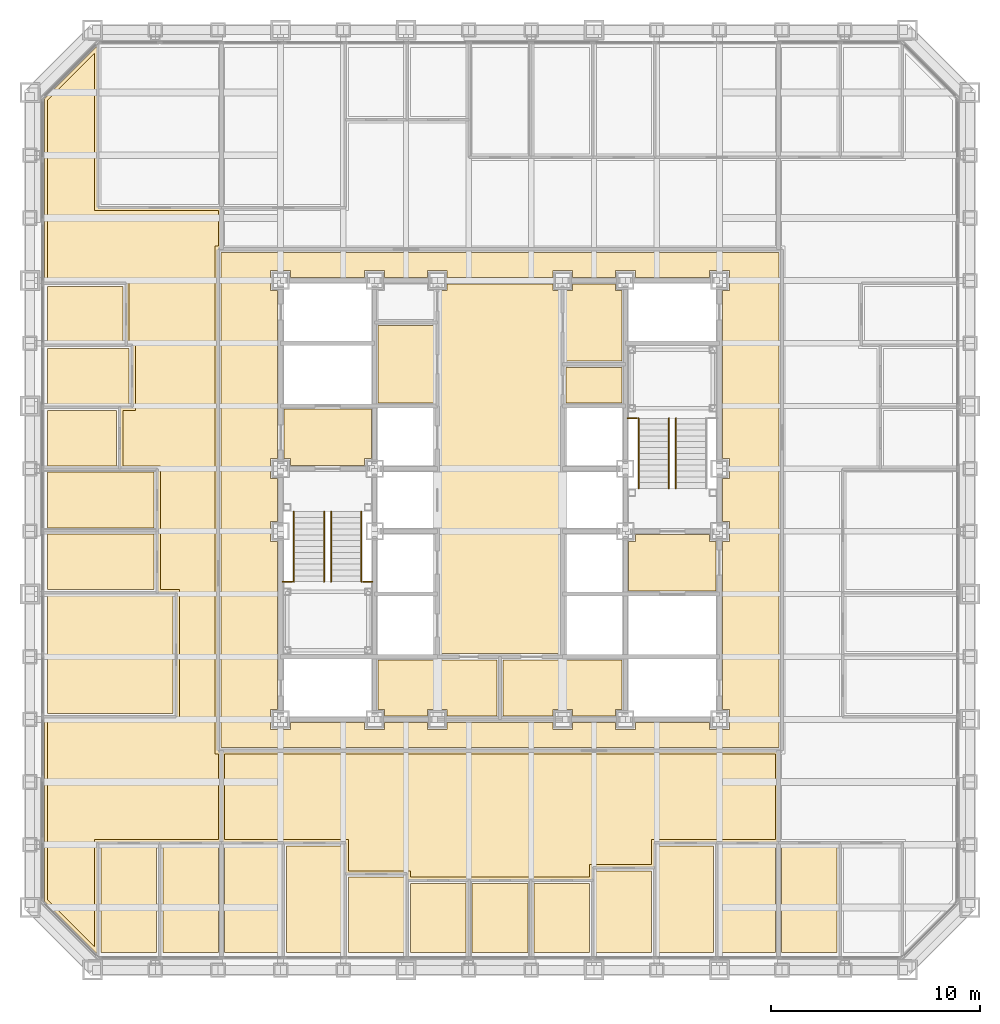
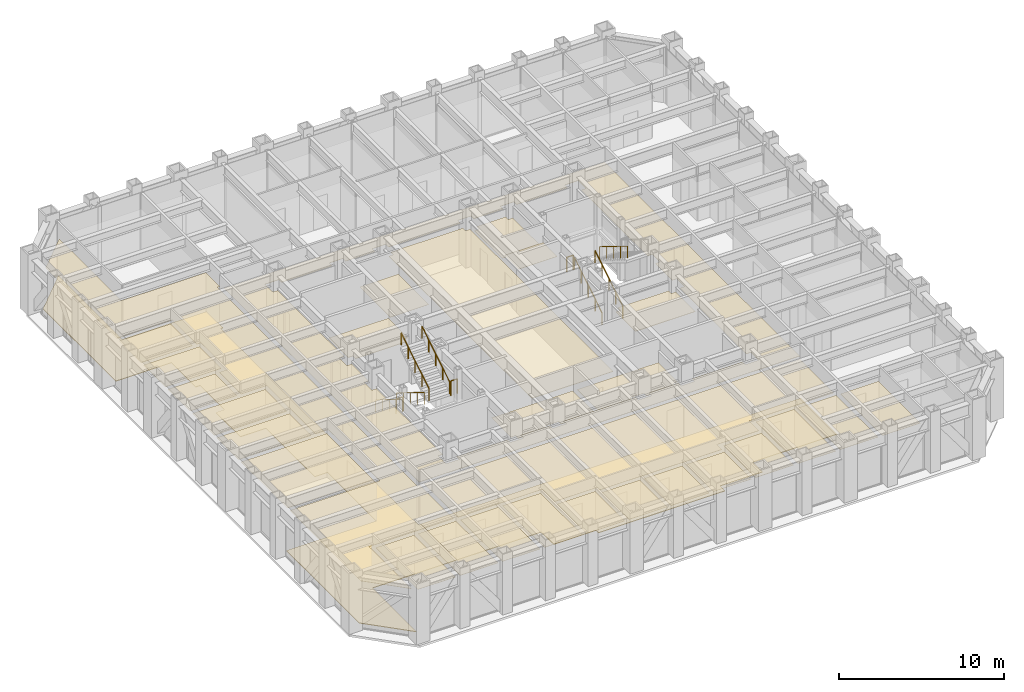
# One storey, part 14 of 16: 31 coverings, 10 railings.
"""IFC4 building model written with IfcOpenShell, lengths in metres."""

from ifc_helpers import new_model, si_unit, direction, frame, origin, origin_2d, place, context, subcontext, project, spatial, polyline, circle, outline, extrude, material, layer, layer_set, type_object, element, save


model = new_model("IFC4")

# Units and contexts
model_context = context("Model", 3, precision=1e-05, world=origin(), true_north=direction((0.0, 1.0)))
body_context = subcontext(model_context, "Body", "Model", "MODEL_VIEW")
ifc_project = project(units=[si_unit("LENGTHUNIT", "METRE"), si_unit("AREAUNIT", "SQUARE_METRE"), si_unit("VOLUMEUNIT", "CUBIC_METRE"), si_unit("PLANEANGLEUNIT", "RADIAN"), si_unit("MASSUNIT", "GRAM", prefix="KILO")], contexts=[model_context])

# Site, building, storey
site_placement = place(None, origin())
site = spatial("IfcSite", under=ifc_project, at=site_placement, CompositionType="ELEMENT")
building_placement = place(site_placement, origin())
building = spatial("IfcBuilding", under=site, at=building_placement, Name="Chuquiago Exchange Tower", CompositionType="ELEMENT")
storey_placement = place(building_placement, frame((0.0, 0.0, 82.800048828125)))
storey = spatial("IfcBuildingStorey", under=building, at=storey_placement, Name="L17", CompositionType="ELEMENT", Elevation=82.800048828125)

# Coverings
ifc_material_1 = material(Name="Mineral fibre tile, 600 x 600, on pale metal grid", Category="mineral fibre")
ifc_layer_1 = layer(ifc_material_1, 0.02001953125)
ifc_layer_set_1 = layer_set([ifc_layer_1], Name="CL1 suspended tile ceiling 20")
covering_type_1 = type_object("IfcCoveringType", Name="CL1 suspended tile ceiling 20", PredefinedType="CEILING", material=ifc_layer_set_1)
covering_1_placement = place(storey_placement, frame((0.0, 0.0, 3.0)))
element("IfcCovering", 1, at=covering_1_placement, inside=storey, type_object=covering_type_1, Name="Ceiling Office", PredefinedType="CEILING", context=body_context, shape_type="SweptSolid", body=[
    extrude(outline(polyline([(3.3984375, 5.949951171875), (6.060302734375, 5.949951171875), (6.060302734375, 0.85009765625), (3.3984375, 0.85009765625), (3.3984375, 5.949951171875)])), origin(), (0.0, 0.0, 1.0), 0.02001953125),
])
covering_2_placement = place(storey_placement, frame((0.0, 0.0, 3.0)))
element("IfcCovering", 2, at=covering_2_placement, inside=storey, type_object=covering_type_1, Name="Ceiling Office", PredefinedType="CEILING", context=body_context, shape_type="SweptSolid", body=[
    extrude(outline(polyline([(6.3603515625, 5.949951171875), (9.022216796875, 5.949951171875), (9.022216796875, 0.85009765625), (6.3603515625, 0.85009765625), (6.3603515625, 5.949951171875)])), origin(), (0.0, 0.0, 1.0), 0.02001953125),
])
covering_3_placement = place(storey_placement, frame((0.0, 0.0, 3.0)))
element("IfcCovering", 3, at=covering_3_placement, inside=storey, type_object=covering_type_1, Name="Ceiling Office", PredefinedType="CEILING", context=body_context, shape_type="SweptSolid", body=[
    extrude(outline(polyline([(9.322021484375, 5.949951171875), (11.98388671875, 5.949951171875), (11.98388671875, 0.85009765625), (9.322021484375, 0.85009765625), (9.322021484375, 5.949951171875)])), origin(), (0.0, 0.0, 1.0), 0.02001953125),
])
covering_4_placement = place(storey_placement, frame((0.0, 0.0, 3.0)))
element("IfcCovering", 4, at=covering_4_placement, inside=storey, type_object=covering_type_1, Name="Ceiling Office", PredefinedType="CEILING", context=body_context, shape_type="SweptSolid", body=[
    extrude(outline(polyline([(12.28369140625, 5.949951171875), (14.945556640625, 5.949951171875), (14.945556640625, 0.85009765625), (12.28369140625, 0.85009765625), (12.28369140625, 5.949951171875)])), origin(), (0.0, 0.0, 1.0), 0.02001953125),
])
covering_5_placement = place(storey_placement, frame((0.0, 0.0, 3.0)))
element("IfcCovering", 5, at=covering_5_placement, inside=storey, type_object=covering_type_1, Name="Ceiling Store", PredefinedType="CEILING", context=body_context, shape_type="SweptSolid", body=[
    extrude(outline(polyline([(15.24560546875, 4.449951171875), (17.907470703125, 4.449951171875), (17.907470703125, 0.85009765625), (15.24560546875, 0.85009765625), (15.24560546875, 4.449951171875)])), origin(), (0.0, 0.0, 1.0), 0.02001953125),
])
covering_6_placement = place(storey_placement, frame((0.0, 0.0, 3.0)))
element("IfcCovering", 6, at=covering_6_placement, inside=storey, type_object=covering_type_1, Name="Ceiling Focus room", PredefinedType="CEILING", context=body_context, shape_type="SweptSolid", body=[
    extrude(outline(polyline([(18.20751953125, 4.14990234375), (20.869140625, 4.14990234375), (20.869140625, 0.85009765625), (18.20751953125, 0.85009765625), (18.20751953125, 4.14990234375)])), origin(), (0.0, 0.0, 1.0), 0.02001953125),
])
covering_7_placement = place(storey_placement, frame((0.0, 0.0, 3.0)))
element("IfcCovering", 7, at=covering_7_placement, inside=storey, type_object=covering_type_1, Name="Ceiling Focus room", PredefinedType="CEILING", context=body_context, shape_type="SweptSolid", body=[
    extrude(outline(polyline([(21.169189453125, 4.14990234375), (23.830810546875, 4.14990234375), (23.830810546875, 0.85009765625), (21.169189453125, 0.85009765625), (21.169189453125, 4.14990234375)])), origin(), (0.0, 0.0, 1.0), 0.02001953125),
])
covering_8_placement = place(storey_placement, frame((0.0, 0.0, 3.0)))
element("IfcCovering", 8, at=covering_8_placement, inside=storey, type_object=covering_type_1, Name="Ceiling Focus room", PredefinedType="CEILING", context=body_context, shape_type="SweptSolid", body=[
    extrude(outline(polyline([(24.130859375, 4.14990234375), (26.79248046875, 4.14990234375), (26.79248046875, 0.85009765625), (24.130859375, 0.85009765625), (24.130859375, 4.14990234375)])), origin(), (0.0, 0.0, 1.0), 0.02001953125),
])
covering_9_placement = place(storey_placement, frame((0.0, 0.0, 3.0)))
element("IfcCovering", 9, at=covering_9_placement, inside=storey, type_object=covering_type_1, Name="Ceiling Pantry", PredefinedType="CEILING", context=body_context, shape_type="SweptSolid", body=[
    extrude(outline(polyline([(27.092529296875, 4.75), (29.75439453125, 4.75), (29.75439453125, 0.85009765625), (27.092529296875, 0.85009765625), (27.092529296875, 4.75)])), origin(), (0.0, 0.0, 1.0), 0.02001953125),
])
covering_10_placement = place(storey_placement, frame((0.0, 0.0, 3.0)))
element("IfcCovering", 10, at=covering_10_placement, inside=storey, type_object=covering_type_1, Name="Ceiling Meeting room", PredefinedType="CEILING", context=body_context, shape_type="SweptSolid", body=[
    extrude(outline(polyline([(30.054443359375, 5.949951171875), (32.71630859375, 5.949951171875), (32.71630859375, 0.85009765625), (30.054443359375, 0.85009765625), (30.054443359375, 5.949951171875)])), origin(), (0.0, 0.0, 1.0), 0.02001953125),
])
covering_11_placement = place(storey_placement, frame((0.0, 0.0, 3.0)))
element("IfcCovering", 11, at=covering_11_placement, inside=storey, type_object=covering_type_1, Name="Ceiling Meeting room", PredefinedType="CEILING", context=body_context, shape_type="SweptSolid", body=[
    extrude(outline(polyline([(33.01611328125, 5.949951171875), (35.677978515625, 5.949951171875), (35.677978515625, 0.85009765625), (33.01611328125, 0.85009765625), (33.01611328125, 5.949951171875)])), origin(), (0.0, 0.0, 1.0), 0.02001953125),
])
covering_12_placement = place(storey_placement, frame((0.0, 0.0, 3.0)))
element("IfcCovering", 12, at=covering_12_placement, inside=storey, type_object=covering_type_1, Name="Ceiling Office", PredefinedType="CEILING", context=body_context, shape_type="SweptSolid", body=[
    extrude(outline(polyline([(35.977783203125, 5.949951171875), (38.6396484375, 5.949951171875), (38.6396484375, 0.85009765625), (35.977783203125, 0.85009765625), (35.977783203125, 5.949951171875)])), origin(), (0.0, 0.0, 1.0), 0.02001953125),
])
covering_13_placement = place(storey_placement, frame((0.0, 0.0, 3.0)))
element("IfcCovering", 13, at=covering_13_placement, inside=storey, type_object=covering_type_1, Name="Ceiling Conference room", PredefinedType="CEILING", context=body_context, shape_type="SweptSolid", body=[
    extrude(outline(polyline([(6.85009765625, 17.907470703125), (6.85009765625, 12.28369140625), (0.85009765625, 12.28369140625), (0.85009765625, 17.907470703125), (6.85009765625, 17.907470703125)])), origin(), (0.0, 0.0, 1.0), 0.02001953125),
])
covering_14_placement = place(storey_placement, frame((0.0, 0.0, 3.0)))
element("IfcCovering", 14, at=covering_14_placement, inside=storey, type_object=covering_type_1, Name="Ceiling Office", PredefinedType="CEILING", context=body_context, shape_type="SweptSolid", body=[
    extrude(outline(polyline([(5.949951171875, 20.869140625), (5.949951171875, 18.20751953125), (0.85009765625, 18.20751953125), (0.85009765625, 20.869140625), (5.949951171875, 20.869140625)])), origin(), (0.0, 0.0, 1.0), 0.02001953125),
])
covering_15_placement = place(storey_placement, frame((0.0, 0.0, 3.0)))
element("IfcCovering", 15, at=covering_15_placement, inside=storey, type_object=covering_type_1, Name="Ceiling Office", PredefinedType="CEILING", context=body_context, shape_type="SweptSolid", body=[
    extrude(outline(polyline([(5.949951171875, 23.830810546875), (5.949951171875, 21.169189453125), (0.85009765625, 21.169189453125), (0.85009765625, 23.830810546875), (5.949951171875, 23.830810546875)])), origin(), (0.0, 0.0, 1.0), 0.02001953125),
])
covering_16_placement = place(storey_placement, frame((0.0, 0.0, 3.0)))
element("IfcCovering", 16, at=covering_16_placement, inside=storey, type_object=covering_type_1, Name="Ceiling Focus room", PredefinedType="CEILING", context=body_context, shape_type="SweptSolid", body=[
    extrude(outline(polyline([(4.14990234375, 26.79248046875), (4.14990234375, 24.130859375), (0.85009765625, 24.130859375), (0.85009765625, 26.79248046875), (4.14990234375, 26.79248046875)])), origin(), (0.0, 0.0, 1.0), 0.02001953125),
])
covering_17_placement = place(storey_placement, frame((0.0, 0.0, 3.0)))
element("IfcCovering", 17, at=covering_17_placement, inside=storey, type_object=covering_type_1, Name="Ceiling Pantry", PredefinedType="CEILING", context=body_context, shape_type="SweptSolid", body=[
    extrude(outline(polyline([(4.75, 29.75439453125), (4.75, 27.092529296875), (0.85009765625, 27.092529296875), (0.85009765625, 29.75439453125), (4.75, 29.75439453125)])), origin(), (0.0, 0.0, 1.0), 0.02001953125),
])
covering_18_placement = place(storey_placement, frame((0.0, 0.0, 3.0)))
element("IfcCovering", 18, at=covering_18_placement, inside=storey, type_object=covering_type_1, Name="Ceiling Store", PredefinedType="CEILING", context=body_context, shape_type="SweptSolid", body=[
    extrude(outline(polyline([(4.449951171875, 32.71630859375), (4.449951171875, 30.054443359375), (0.85009765625, 30.054443359375), (0.85009765625, 32.71630859375), (4.449951171875, 32.71630859375)])), origin(), (0.0, 0.0, 1.0), 0.02001953125),
])
covering_19_placement = place(storey_placement, frame((0.0, 0.0, 3.0)))
element("IfcCovering", 19, at=covering_19_placement, inside=storey, type_object=covering_type_1, Name="Ceiling Trading floor south suite", PredefinedType="CEILING", context=body_context, shape_type="SweptSolid", body=[
    extrude(outline(polyline([(29.75439453125, 6.25), (29.75439453125, 5.050048828125), (26.79248046875, 5.050048828125), (26.79248046875, 4.449951171875), (18.20751953125, 4.449951171875), (18.20751953125, 4.75), (15.24560546875, 4.75), (15.24560546875, 6.25), (9.322509765625, 6.25), (9.322509765625, 10.349609375), (35.677490234375, 10.349609375), (35.677490234375, 6.25), (29.75439453125, 6.25)])), origin(), (0.0, 0.0, 1.0), 0.02001953125),
])
covering_20_placement = place(storey_placement, frame((0.0, 0.0, 3.0)))
element("IfcCovering", 20, at=covering_20_placement, inside=storey, type_object=covering_type_1, Name="Ceiling Trading floor west suite", PredefinedType="CEILING", context=body_context, shape_type="SweptSolid", body=[
    extrude(outline(polyline([(3.098388671875, 36.35009765625), (9.021484375, 36.35009765625), (9.021484375, 34.650146484375), (8.849609375, 34.649658203125), (8.849609375, 10.350341796875), (9.021484375, 10.349853515625), (9.021484375, 6.25), (3.098388671875, 6.25), (3.098388671875, 1.103515625), (0.85009765625, 3.35205078125), (0.85009765625, 11.98388671875), (7.14990234375, 11.98388671875), (7.14990234375, 18.20751953125), (6.25, 18.20751953125), (6.25, 24.130859375), (4.449951171875, 24.130859375), (4.449951171875, 26.79248046875), (5.050048828125, 26.79248046875), (5.050048828125, 30.054443359375), (4.75, 30.054443359375), (4.75, 33.01611328125), (0.85009765625, 33.01611328125), (0.85009765625, 41.64794921875), (3.098388671875, 43.896484375), (3.098388671875, 36.35009765625)])), origin(), (0.0, 0.0, 1.0), 0.02001953125),
])
covering_21_placement = place(storey_placement, frame((0.0, 0.0, 3.0)))
element("IfcCovering", 21, at=covering_21_placement, inside=storey, type_object=covering_type_1, Name="Ceiling Tenant corridor", PredefinedType="CEILING", context=body_context, shape_type="SweptSolid", body=[
    extrude(outline(polyline([(9.14990234375, 34.35009765625), (35.85009765625, 34.35009765625), (35.85009765625, 10.64990234375), (9.14990234375, 10.64990234375), (9.14990234375, 34.35009765625)]), holes=[polyline([(11.85009765625, 24.47509765625), (11.52490234375, 24.47509765625), (11.52490234375, 23.52490234375), (11.85009765625, 23.52490234375), (11.85009765625, 21.47509765625), (11.52490234375, 21.47509765625), (11.52490234375, 20.52490234375), (11.85009765625, 20.52490234375), (11.85009765625, 12.47509765625), (11.52490234375, 12.47509765625), (11.52490234375, 11.52490234375), (12.47509765625, 11.52490234375), (12.47509765625, 11.85009765625), (16.02490234375, 11.85009765625), (16.02490234375, 11.52490234375), (16.97509765625, 11.52490234375), (16.97509765625, 11.85009765625), (19.02490234375, 11.85009765625), (19.02490234375, 11.52490234375), (19.97509765625, 11.52490234375), (19.97509765625, 11.85009765625), (25.02490234375, 11.85009765625), (25.02490234375, 11.52490234375), (25.97509765625, 11.52490234375), (25.97509765625, 11.85009765625), (28.02490234375, 11.85009765625), (28.02490234375, 11.52490234375), (28.97509765625, 11.52490234375), (28.97509765625, 11.85009765625), (32.52490234375, 11.85009765625), (32.52490234375, 11.52490234375), (33.47509765625, 11.52490234375), (33.47509765625, 12.47509765625), (33.14990234375, 12.47509765625), (33.14990234375, 20.52490234375), (33.47509765625, 20.52490234375), (33.47509765625, 21.47509765625), (33.14990234375, 21.47509765625), (33.14990234375, 23.52490234375), (33.47509765625, 23.52490234375), (33.47509765625, 24.47509765625), (33.14990234375, 24.47509765625), (33.14990234375, 32.52490234375), (33.47509765625, 32.52490234375), (33.47509765625, 33.47509765625), (32.52490234375, 33.47509765625), (32.52490234375, 33.14990234375), (28.97509765625, 33.14990234375), (28.97509765625, 33.47509765625), (28.02490234375, 33.47509765625), (28.02490234375, 33.14990234375), (25.97509765625, 33.14990234375), (25.97509765625, 33.47509765625), (25.02490234375, 33.47509765625), (25.02490234375, 33.14990234375), (19.97509765625, 33.14990234375), (19.97509765625, 33.47509765625), (19.02490234375, 33.47509765625), (19.02490234375, 33.14990234375), (16.97509765625, 33.14990234375), (16.97509765625, 33.47509765625), (16.02490234375, 33.47509765625), (16.02490234375, 33.14990234375), (12.47509765625, 33.14990234375), (12.47509765625, 33.47509765625), (11.52490234375, 33.47509765625), (11.52490234375, 32.52490234375), (11.85009765625, 32.52490234375), (11.85009765625, 24.47509765625)])]), origin(), (0.0, 0.0, 1.0), 0.02001953125),
])
covering_22_placement = place(storey_placement, frame((0.0, 0.0, 3.0)))
element("IfcCovering", 22, at=covering_22_placement, inside=storey, type_object=covering_type_1, Name="Ceiling First aid room", PredefinedType="CEILING", context=body_context, shape_type="SweptSolid", body=[
    extrude(outline(polyline([(25.64990234375, 27.14990234375), (25.64990234375, 28.85009765625), (28.35009765625, 28.85009765625), (28.35009765625, 27.14990234375), (25.64990234375, 27.14990234375)])), origin(), (0.0, 0.0, 1.0), 0.02001953125),
])
ifc_material_2 = material(Name="Moisture resistant plasterboard on metal frame", Category="gypsum")
ifc_layer_2 = layer(ifc_material_2, 0.014892578125)
ifc_layer_set_2 = layer_set([ifc_layer_2], Name="CL2 moisture resistant ceiling 15")
covering_type_2 = type_object("IfcCoveringType", Name="CL2 moisture resistant ceiling 15", PredefinedType="CEILING", material=ifc_layer_set_2)
covering_23_placement = place(storey_placement, frame((0.0, 0.0, 2.599853515625)))
element("IfcCovering", 23, at=covering_23_placement, inside=storey, type_object=covering_type_2, Name="Ceiling Male WC", PredefinedType="CEILING", context=body_context, shape_type="SweptSolid", body=[
    extrude(outline(polyline([(16.64990234375, 27.14990234375), (16.64990234375, 30.85009765625), (19.35009765625, 30.85009765625), (19.35009765625, 27.14990234375), (16.64990234375, 27.14990234375)])), origin(), (0.0, 0.0, 1.0), 0.01513671875),
])
covering_24_placement = place(storey_placement, frame((0.0, 0.0, 2.599853515625)))
element("IfcCovering", 24, at=covering_24_placement, inside=storey, type_object=covering_type_2, Name="Ceiling Female WC", PredefinedType="CEILING", context=body_context, shape_type="SweptSolid", body=[
    extrude(outline(polyline([(25.64990234375, 29.14990234375), (25.64990234375, 32.52490234375), (25.97509765625, 32.52490234375), (25.97509765625, 32.85009765625), (28.02490234375, 32.85009765625), (28.02490234375, 32.52490234375), (28.35009765625, 32.52490234375), (28.35009765625, 29.14990234375), (25.64990234375, 29.14990234375)])), origin(), (0.0, 0.0, 1.0), 0.01513671875),
])
covering_25_placement = place(storey_placement, frame((0.0, 0.0, 2.599853515625)))
element("IfcCovering", 25, at=covering_25_placement, inside=storey, type_object=covering_type_2, Name="Ceiling Accessible WC", PredefinedType="CEILING", context=body_context, shape_type="SweptSolid", body=[
    extrude(outline(polyline([(25.97509765625, 12.14990234375), (25.97509765625, 12.47509765625), (25.02490234375, 12.47509765625), (25.02490234375, 12.14990234375), (22.64990234375, 12.14990234375), (22.64990234375, 14.85009765625), (28.35009765625, 14.85009765625), (28.35009765625, 12.47509765625), (28.02490234375, 12.47509765625), (28.02490234375, 12.14990234375), (25.97509765625, 12.14990234375)])), origin(), (0.0, 0.0, 1.0), 0.01513671875),
])
covering_26_placement = place(storey_placement, frame((0.0, 0.0, 2.599853515625)))
element("IfcCovering", 26, at=covering_26_placement, inside=storey, type_object=covering_type_2, Name="Ceiling Cleaner", PredefinedType="CEILING", context=body_context, shape_type="SweptSolid", body=[
    extrude(outline(polyline([(19.97509765625, 12.14990234375), (19.97509765625, 12.47509765625), (19.02490234375, 12.47509765625), (19.02490234375, 12.14990234375), (16.97509765625, 12.14990234375), (16.97509765625, 12.47509765625), (16.64990234375, 12.47509765625), (16.64990234375, 14.85009765625), (22.35009765625, 14.85009765625), (22.35009765625, 12.14990234375), (19.97509765625, 12.14990234375)])), origin(), (0.0, 0.0, 1.0), 0.01513671875),
])
ifc_material_3 = material(Name="Pale metal plank ceiling, perforated", Category="aluminium")
ifc_layer_3 = layer(ifc_material_3, 0.030029296875)
ifc_layer_set_3 = layer_set([ifc_layer_3], Name="CL3 metal plank ceiling 30")
covering_type_3 = type_object("IfcCoveringType", Name="CL3 metal plank ceiling 30", PredefinedType="CEILING", material=ifc_layer_set_3)
covering_27_placement = place(storey_placement, frame((0.0, 0.0, 2.800048828125)))
element("IfcCovering", 27, at=covering_27_placement, inside=storey, type_object=covering_type_3, Name="Ceiling Lift lobby", PredefinedType="CEILING", context=body_context, shape_type="SweptSolid", body=[
    extrude(outline(polyline([(19.64990234375, 15.14990234375), (19.64990234375, 32.52490234375), (19.97509765625, 32.52490234375), (19.97509765625, 32.85009765625), (25.02490234375, 32.85009765625), (25.02490234375, 32.52490234375), (25.35009765625, 32.52490234375), (25.35009765625, 15.14990234375), (19.64990234375, 15.14990234375)])), origin(), (0.0, 0.0, 1.0), 0.02978515625),
])
covering_28_placement = place(storey_placement, frame((0.0, 0.0, 2.800048828125)))
element("IfcCovering", 28, at=covering_28_placement, inside=storey, type_object=covering_type_3, Name="Ceiling Firefighting lobby", PredefinedType="CEILING", context=body_context, shape_type="SweptSolid", body=[
    extrude(outline(polyline([(12.47509765625, 24.14990234375), (12.47509765625, 24.47509765625), (12.14990234375, 24.47509765625), (12.14990234375, 26.85009765625), (16.35009765625, 26.85009765625), (16.35009765625, 24.47509765625), (16.02490234375, 24.47509765625), (16.02490234375, 24.14990234375), (12.47509765625, 24.14990234375)])), origin(), (0.0, 0.0, 1.0), 0.02978515625),
])
covering_29_placement = place(storey_placement, frame((0.0, 0.0, 2.800048828125)))
element("IfcCovering", 29, at=covering_29_placement, inside=storey, type_object=covering_type_3, Name="Ceiling Firefighting lobby", PredefinedType="CEILING", context=body_context, shape_type="SweptSolid", body=[
    extrude(outline(polyline([(28.64990234375, 18.14990234375), (28.64990234375, 20.52490234375), (28.97509765625, 20.52490234375), (28.97509765625, 20.85009765625), (32.52490234375, 20.85009765625), (32.52490234375, 20.52490234375), (32.85009765625, 20.52490234375), (32.85009765625, 18.14990234375), (28.64990234375, 18.14990234375)])), origin(), (0.0, 0.0, 1.0), 0.02978515625),
])

# Railings
ifc_material_4 = material(Name="Pale metal guard with safety glass infill", Category="glass")
railing_type_1 = type_object("IfcRailingType", Name="GR1 guard 1100", PredefinedType="GUARDRAIL", material=ifc_material_4)
for number, where, name in (
    (30, (12.10009765625, 18.590087890625, 2.25), "Guard ST1 L17 landing 2"),
    (31, (15.945068359375, 18.590087890625, 2.25), "Guard ST1 L17 landing 2"),
    (32, (28.60009765625, 26.409912109375, 2.25), "Guard ST2 L17 landing 2"),
):
    element("IfcRailing", number, at=place(storey_placement, frame(where)), inside=storey, type_object=railing_type_1, Name=name, PredefinedType="GUARDRAIL", context=body_context, shape_type="SweptSolid", body=[
        extrude(circle(Radius=0.02392578125, at=origin_2d()), frame((0.0, 0.0, 1.076171875), z_axis=(1.0, 0.0, 0.0), x_axis=(0.0, 1.0, 0.0)), (0.0, 0.0, 1.0), 0.454833984375),
        extrude(circle(Radius=0.02099609375, at=origin_2d()), origin(), (0.0, 0.0, 1.0), 1.052001953125),
        extrude(circle(Radius=0.02099609375, at=origin_2d()), frame((0.454833984375, 0.0, 0.0)), (0.0, 0.0, 1.0), 1.052001953125),
    ])
ifc_material_5 = material(Name="Pale metal handrail", Category="steel")
railing_type_2 = type_object("IfcRailingType", Name="HR1 handrail 900", PredefinedType="HANDRAIL", material=ifc_material_5)
for number, where, name in (
    (33, (12.635009765625, 21.949951171875, 0.173095703125), "Handrail ST1 L17 flight 1"),
    (34, (14.0849609375, 21.949951171875, 0.173095703125), "Handrail ST1 L17 flight 1"),
):
    element("IfcRailing", number, at=place(storey_placement, frame(where)), inside=storey, type_object=railing_type_2, Name=name, PredefinedType="HANDRAIL", context=body_context, shape_type="SweptSolid", body=[
        extrude(circle(Radius=0.02392578125, at=origin_2d()), frame((0.0, 0.0, 0.8759765625), z_axis=(0.0, -0.850606129759, 0.525803396734), x_axis=(1.0, 0.0, 0.0)), (0.0, 0.0, 1.0), 3.949951171875),
        extrude(circle(Radius=0.02099609375, at=origin_2d()), origin(), (0.0, 0.0, 1.0), 0.851806640625),
        extrude(circle(Radius=0.02099609375, at=origin_2d()), frame((0.0, -0.83984375, 0.519287109375)), (0.0, 0.0, 1.0), 0.851806640625),
        extrude(circle(Radius=0.02099609375, at=origin_2d()), frame((0.0, -1.679931640625, 1.03857421875)), (0.0, 0.0, 1.0), 0.851806640625),
        extrude(circle(Radius=0.02099609375, at=origin_2d()), frame((0.0, -2.52001953125, 1.5576171875)), (0.0, 0.0, 1.0), 0.851806640625),
        extrude(circle(Radius=0.02099609375, at=origin_2d()), frame((0.0, -3.35986328125, 2.076904296875)), (0.0, 0.0, 1.0), 0.851806640625),
    ])
for number, where, name in (
    (35, (15.864990234375, 18.590087890625, 2.423095703125), "Handrail ST1 L17 flight 2"),
    (36, (14.4150390625, 18.590087890625, 2.423095703125), "Handrail ST1 L17 flight 2"),
    (37, (30.5849609375, 23.050048828125, 0.173095703125), "Handrail ST2 L17 flight 1"),
    (38, (29.135009765625, 23.050048828125, 0.173095703125), "Handrail ST2 L17 flight 1"),
):
    element("IfcRailing", number, at=place(storey_placement, frame(where)), inside=storey, type_object=railing_type_2, Name=name, PredefinedType="HANDRAIL", context=body_context, shape_type="SweptSolid", body=[
        extrude(circle(Radius=0.02392578125, at=origin_2d()), frame((0.0, 0.0, 0.8759765625), z_axis=(0.0, 0.850606129759, 0.525803396734), x_axis=(-1.0, 0.0, 0.0)), (0.0, 0.0, 1.0), 3.949951171875),
        extrude(circle(Radius=0.02099609375, at=origin_2d()), origin(), (0.0, 0.0, 1.0), 0.851806640625),
        extrude(circle(Radius=0.02099609375, at=origin_2d()), frame((0.0, 0.83984375, 0.519287109375)), (0.0, 0.0, 1.0), 0.851806640625),
        extrude(circle(Radius=0.02099609375, at=origin_2d()), frame((0.0, 1.679931640625, 1.03857421875)), (0.0, 0.0, 1.0), 0.851806640625),
        extrude(circle(Radius=0.02099609375, at=origin_2d()), frame((0.0, 2.52001953125, 1.5576171875)), (0.0, 0.0, 1.0), 0.851806640625),
        extrude(circle(Radius=0.02099609375, at=origin_2d()), frame((0.0, 3.35986328125, 2.076904296875)), (0.0, 0.0, 1.0), 0.851806640625),
    ])
railing_placement = place(storey_placement, frame((30.9150390625, 26.409912109375, 2.423095703125)))
element("IfcRailing", 39, at=railing_placement, inside=storey, type_object=railing_type_2, Name="Handrail ST2 L17 flight 2", PredefinedType="HANDRAIL", context=body_context, shape_type="SweptSolid", body=[
    extrude(circle(Radius=0.02392578125, at=origin_2d()), frame((0.0, 0.0, 0.8759765625), z_axis=(0.0, -0.850606129759, 0.525803396734), x_axis=(1.0, 0.0, 0.0)), (0.0, 0.0, 1.0), 3.949951171875),
    extrude(circle(Radius=0.02099609375, at=origin_2d()), origin(), (0.0, 0.0, 1.0), 0.851806640625),
    extrude(circle(Radius=0.02099609375, at=origin_2d()), frame((0.0, -0.83984375, 0.519287109375)), (0.0, 0.0, 1.0), 0.851806640625),
    extrude(circle(Radius=0.02099609375, at=origin_2d()), frame((0.0, -1.679931640625, 1.03857421875)), (0.0, 0.0, 1.0), 0.851806640625),
    extrude(circle(Radius=0.02099609375, at=origin_2d()), frame((0.0, -2.52001953125, 1.5576171875)), (0.0, 0.0, 1.0), 0.851806640625),
    extrude(circle(Radius=0.02099609375, at=origin_2d()), frame((0.0, -3.35986328125, 2.076904296875)), (0.0, 0.0, 1.0), 0.851806640625),
])

# Coverings
ifc_material_6 = material(Name="Steel raised floor panel", Category="steel")
ifc_layer_4 = layer(ifc_material_6, 0.0400390625)
ifc_layer_set_4 = layer_set([ifc_layer_4], Name="RF1 raised access floor 40")
covering_type_4 = type_object("IfcCoveringType", Name="RF1 raised access floor 40", PredefinedType="FLOORING", material=ifc_layer_set_4)
covering_30_placement = place(storey_placement, frame((0.0, 0.0, -0.0400390625)))
element("IfcCovering", 40, at=covering_30_placement, inside=storey, type_object=covering_type_4, Name="Raised access floor Trading floor south suite", PredefinedType="FLOORING", context=body_context, shape_type="SweptSolid", body=[
    extrude(outline(polyline([(35.827392578125, 6.10009765625), (29.904296875, 6.10009765625), (29.904296875, 4.89990234375), (26.942626953125, 4.89990234375), (26.942626953125, 4.300048828125), (18.057373046875, 4.300048828125), (18.057373046875, 4.60009765625), (15.095703125, 4.60009765625), (15.095703125, 6.10009765625), (9.172607421875, 6.10009765625), (9.172607421875, 10.49951171875), (35.827392578125, 10.49951171875), (35.827392578125, 6.10009765625)])), origin(), (0.0, 0.0, 1.0), 0.0400390625),
])
covering_31_placement = place(storey_placement, frame((0.0, 0.0, -0.0400390625)))
element("IfcCovering", 41, at=covering_31_placement, inside=storey, type_object=covering_type_4, Name="Raised access floor Trading floor west suite", PredefinedType="FLOORING", context=body_context, shape_type="SweptSolid", body=[
    extrude(outline(polyline([(7.0, 18.057373046875), (6.10009765625, 18.057373046875), (6.10009765625, 23.98095703125), (4.300048828125, 23.98095703125), (4.300048828125, 26.942626953125), (4.89990234375, 26.942626953125), (4.89990234375, 29.904296875), (4.60009765625, 29.904296875), (4.60009765625, 32.8662109375), (0.699951171875, 32.8662109375), (0.699951171875, 41.710205078125), (3.289794921875, 44.300048828125), (3.24853515625, 44.258544921875), (3.24853515625, 36.5), (9.171630859375, 36.5), (9.171630859375, 34.50048828125), (8.99951171875, 34.5), (8.99951171875, 10.5), (9.171630859375, 10.49951171875), (9.171630859375, 6.10009765625), (3.24853515625, 6.10009765625), (3.24853515625, 0.741455078125), (0.699951171875, 3.289794921875), (0.699951171875, 12.1337890625), (7.0, 12.1337890625), (7.0, 18.057373046875)])), origin(), (0.0, 0.0, 1.0), 0.0400390625),
])

save(model, "model.ifc")
